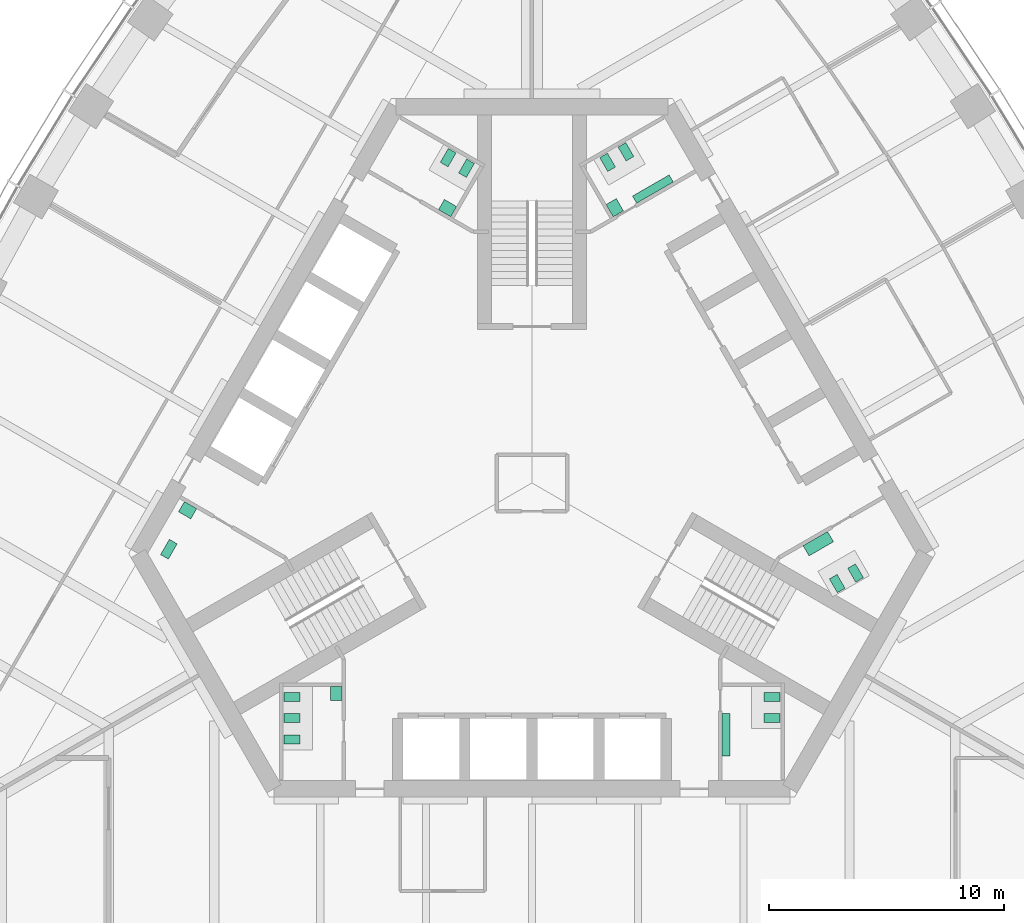
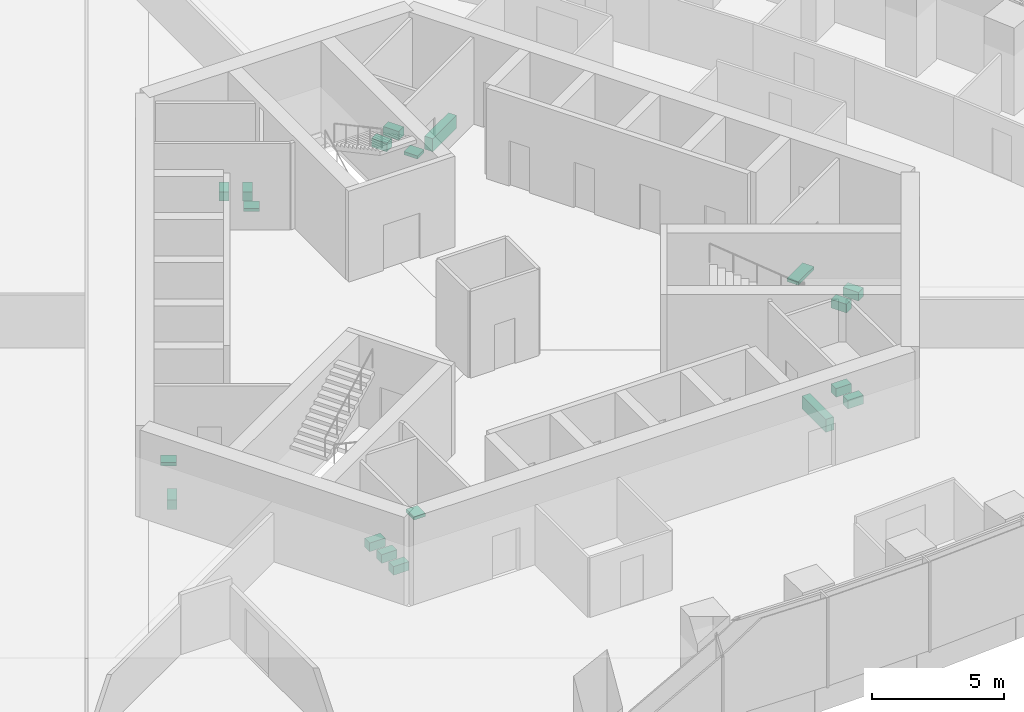
# One storey, part 18 of 19: 19 sanitary terminals.
"""IFC4 building model written with IfcOpenShell, lengths in metres."""

import ifcopenshell
import ifcopenshell.guid

model = None  # the IFC model being written
_history = None  # IfcOwnerHistory: only IFC2X3 demands one
_inside = {}  # id of a spatial element -> (the spatial element, [elements in it])
_under = {}  # id of a project, library or spatial element -> (it, [spatial elements below it])
_declared = {}  # id of a project -> (the project, [libraries it declares])
_typed = {}  # id of a type object -> (the type object, [elements of that type])
_made_of = {}  # id of a material, layer set ... -> (it, [elements and type objects made of it])


def new_model(schema):
    """Start an empty IFC model of exactly this schema.

    Asked for "IFC4X3", IfcOpenShell would pick the latest addendum, in which some entities
    have other attributes; the version numbers below select the first issue.
    IFC2X3 requires an IfcOwnerHistory on every rooted entity: one is made here for all.
    """
    global model, _history
    if schema == "IFC4X3":
        model = ifcopenshell.file(schema_version=(4, 3, 0, 0))
    else:
        model = ifcopenshell.file(schema=schema)
    _inside.clear()
    _under.clear()
    _declared.clear()
    _typed.clear()
    _made_of.clear()
    _history = None
    if model.schema == "IFC2X3":
        org = make("IfcOrganization", Name="unknown")
        user = make(
            "IfcPersonAndOrganization",
            ThePerson=make("IfcPerson", FamilyName="unknown"),
            TheOrganization=org,
        )
        app = make(
            "IfcApplication",
            ApplicationDeveloper=org,
            Version="unknown",
            ApplicationFullName="unknown",
            ApplicationIdentifier="unknown",
        )
        _history = make(
            "IfcOwnerHistory",
            OwningUser=user,
            OwningApplication=app,
            ChangeAction="ADDED",
            CreationDate=0,
        )
    return model


def make(cls, **values):
    """One entity of the class cls with the attributes given. An attribute that is None is left unset."""
    return model.create_entity(
        cls, **{name: value for name, value in values.items() if value is not None}
    )


def rooted(cls, **values):
    """An entity with a GlobalId (a new one), such as an element, a storey or a relation."""
    return make(cls, GlobalId=ifcopenshell.guid.new(), OwnerHistory=_history, **values)


def si_unit(unit_type, name, prefix=None):
    """IfcSIUnit, for example si_unit("LENGTHUNIT", "METRE", prefix="MILLI")."""
    return make("IfcSIUnit", UnitType=unit_type, Prefix=prefix, Name=name)


def assignment(units):
    """IfcUnitAssignment: the units of a project."""
    return None if units is None else make("IfcUnitAssignment", Units=units)


def point(xyz):
    """IfcCartesianPoint."""
    return None if xyz is None else make("IfcCartesianPoint", Coordinates=xyz)


def direction(xyz):
    """IfcDirection."""
    return None if xyz is None else make("IfcDirection", DirectionRatios=xyz)


def frame(location, z_axis=None, x_axis=None):
    """IfcAxis2Placement3D, a coordinate frame: its origin and axes. An axis left out is left unset."""
    return make(
        "IfcAxis2Placement3D",
        Location=point(location),
        Axis=direction(z_axis),
        RefDirection=direction(x_axis),
    )


def origin():
    """The frame at (0, 0, 0) with its axes left unset."""
    return frame((0.0, 0.0, 0.0))


def place(relative_to, where):
    """IfcLocalPlacement: puts the frame where relative to a parent placement (None: the world)."""
    return make(
        "IfcLocalPlacement", PlacementRelTo=relative_to, RelativePlacement=where
    )


def context(
    kind, dimensions, precision=None, world=None, true_north=None, identifier=None
):
    """IfcGeometricRepresentationContext, for example the 3D "Model" context."""
    return make(
        "IfcGeometricRepresentationContext",
        ContextIdentifier=identifier,
        ContextType=kind,
        CoordinateSpaceDimension=dimensions,
        Precision=precision,
        WorldCoordinateSystem=world,
        TrueNorth=true_north,
    )


def subcontext(parent, identifier, kind, view, scale=None):
    """IfcGeometricRepresentationSubContext, for example "Body" below "Model"."""
    return make(
        "IfcGeometricRepresentationSubContext",
        ContextIdentifier=identifier,
        ContextType=kind,
        ParentContext=parent,
        TargetScale=scale,
        TargetView=view,
    )


def project(units=None, contexts=None):
    """IfcProject with its units and contexts."""
    return rooted(
        "IfcProject",
        Name="project",
        RepresentationContexts=contexts,
        UnitsInContext=assignment(units),
    )


def spatial(cls, under=None, at=None, **own):
    """A site, building, storey or space (cls), placed at a placement, below another one or the project."""
    s = rooted(cls, ObjectPlacement=at, **own)
    if under is not None:
        _under.setdefault(under.id(), (under, []))[1].append(s)
    return s


def polyline(points):
    """IfcPolyline through the points."""
    return make("IfcPolyline", Points=[point(p) for p in points])


def outline(outer, holes=None, kind="AREA"):
    """IfcArbitraryClosedProfileDef: a profile drawn as a closed curve; with holes, ...WithVoids."""
    if holes is None:
        return make("IfcArbitraryClosedProfileDef", ProfileType=kind, OuterCurve=outer)
    return make(
        "IfcArbitraryProfileDefWithVoids",
        ProfileType=kind,
        OuterCurve=outer,
        InnerCurves=holes,
    )


def extrude(swept, where, along, depth):
    """IfcExtrudedAreaSolid: the profile swept, set in the frame where, extruded along a direction by depth."""
    return make(
        "IfcExtrudedAreaSolid",
        SweptArea=swept,
        Position=where,
        ExtrudedDirection=direction(along),
        Depth=depth,
    )


def shape(context_of_items, identifier, shape_type, items):
    """IfcShapeRepresentation: the items that make up one representation, for example the "Body"."""
    return make(
        "IfcShapeRepresentation",
        ContextOfItems=context_of_items,
        RepresentationIdentifier=identifier,
        RepresentationType=shape_type,
        Items=items,
    )


def material(Name=None, Category=None):
    """IfcMaterial."""
    return make("IfcMaterial", Name=Name, Category=Category)


def made_of(thing, what):
    """Note that an element or type object is made of a material, layer set ...; save() writes the relation."""
    if what is not None:
        _made_of.setdefault(what.id(), (what, []))[1].append(thing)
    return thing


def type_object(cls, material=None, **own):
    """A type object (cls), such as IfcWallType, which elements share."""
    return made_of(rooted(cls, **own), material)


def element(
    cls,
    number,
    at=None,
    inside=None,
    cuts=None,
    type_object=None,
    material=None,
    context=None,
    identifier="Body",
    shape_type=None,
    held_by="IfcProductDefinitionShape",
    body=None,
    shapes=None,
    **own,
):
    """One element of the class cls, such as IfcWall. Its Tag is "e" and its number.

    at: its placement. inside: the storey or other place that contains it. cuts: it is an
    opening in that element (IfcRelVoidsElement). A single representation is given by context,
    identifier, shape_type and body (its items); several are given by shapes. held_by: the class
    of the entity that holds the representations. save() writes the other relations.
    """
    e = rooted(cls, Tag="e%d" % number, ObjectPlacement=at, **own)
    if body is not None:
        shapes = [shape(context, identifier, shape_type, body)]
    if shapes is not None:
        e.Representation = make(held_by, Representations=shapes)
    if inside is not None:
        _inside.setdefault(inside.id(), (inside, []))[1].append(e)
    if cuts is not None:
        rooted(
            "IfcRelVoidsElement", RelatingBuildingElement=cuts, RelatedOpeningElement=e
        )
    if type_object is not None:
        _typed.setdefault(type_object.id(), (type_object, []))[1].append(e)
    return made_of(e, material)


def aggregate(whole, parts):
    """IfcRelAggregates: a whole, such as a stair, and the parts it consists of."""
    return rooted("IfcRelAggregates", RelatingObject=whole, RelatedObjects=parts)


def save(model, path):
    """Write the relations noted so far, then the file.

    IfcRelAggregates (storeys below a building ...), IfcRelContainedInSpatialStructure (elements
    in a storey), IfcRelDefinesByType, IfcRelAssociatesMaterial and IfcRelDeclares: one each for
    every whole, place, type object, material and project.
    """
    for whole, parts in _under.values():
        aggregate(whole, parts)
    for where, things in _inside.values():
        rooted(
            "IfcRelContainedInSpatialStructure",
            RelatedElements=things,
            RelatingStructure=where,
        )
    for kind, things in _typed.values():
        rooted("IfcRelDefinesByType", RelatedObjects=things, RelatingType=kind)
    for what, things in _made_of.values():
        rooted("IfcRelAssociatesMaterial", RelatedObjects=things, RelatingMaterial=what)
    for by, libraries in _declared.values():
        rooted("IfcRelDeclares", RelatingContext=by, RelatedDefinitions=libraries)
    model.write(path)


model = new_model("IFC4")

# Units and contexts
model_context = context("Model", 3, precision=1e-05, world=origin(), true_north=direction((0.0, 1.0)))
body_context = subcontext(model_context, "Body", "Model", "MODEL_VIEW")
ifc_project = project(units=[si_unit("LENGTHUNIT", "METRE"), si_unit("AREAUNIT", "SQUARE_METRE"), si_unit("VOLUMEUNIT", "CUBIC_METRE"), si_unit("PLANEANGLEUNIT", "RADIAN"), si_unit("MASSUNIT", "GRAM", prefix="KILO")], contexts=[model_context])

# Site, building, storey
site_placement = place(None, origin())
site = spatial("IfcSite", under=ifc_project, at=site_placement, CompositionType="ELEMENT")
building_placement = place(site_placement, origin())
building = spatial("IfcBuilding", under=site, at=building_placement, Name="Trefoil Bronze Tower", CompositionType="ELEMENT")
storey_placement = place(building_placement, frame((0.0, 0.0, 256.89990234375)))
storey = spatial("IfcBuildingStorey", under=building, at=storey_placement, Name="L59", CompositionType="ELEMENT", Elevation=256.89990234375)

# Sanitary terminals
ifc_material_1 = material(Name="Vitreous china", Category="ceramic")
sanitary_terminal_type_1 = type_object("IfcSanitaryTerminalType", Name="Accessible WC pan", PredefinedType="TOILETPAN", material=ifc_material_1)
sanitary_terminal_1_placement = place(storey_placement, origin())
element("IfcSanitaryTerminal", 1, at=sanitary_terminal_1_placement, inside=storey, type_object=sanitary_terminal_type_1, Name="WC pan 1 Accessible WC L59", PredefinedType="TOILETPAN", context=body_context, shape_type="SweptSolid", body=[
    extrude(outline(polyline([(-15.085693359375, -2.589111328125), (-15.460693359375, -3.238525390625), (-15.789794921875, -3.048583984375), (-15.414794921875, -2.399169921875), (-15.085693359375, -2.589111328125)])), origin(), (0.0, 0.0, 1.0), 0.4501953125),
])
ifc_material_2 = material(Name="Vitreous china", Category="ceramic")
sanitary_terminal_type_2 = type_object("IfcSanitaryTerminalType", Name="Accessible basin", PredefinedType="WASHHANDBASIN", material=ifc_material_2)
sanitary_terminal_2_placement = place(storey_placement, frame((0.0, 0.0, 0.650146484375)))
element("IfcSanitaryTerminal", 2, at=sanitary_terminal_2_placement, inside=storey, type_object=sanitary_terminal_type_2, Name="Wash basin Accessible WC L59", PredefinedType="WASHHANDBASIN", context=body_context, shape_type="SweptSolid", body=[
    extrude(outline(polyline([(-14.256591796875, -1.09326171875), (-14.506591796875, -1.526123046875), (-15.026123046875, -1.22607421875), (-14.776123046875, -0.793212890625), (-14.256591796875, -1.09326171875)])), origin(), (0.0, 0.0, 1.0), 0.14990234375),
])
ifc_material_3 = material(Name="Vitreous china", Category="ceramic")
sanitary_terminal_type_3 = type_object("IfcSanitaryTerminalType", Name="Urinal range 3 urinals", PredefinedType="URINAL", material=ifc_material_3)
sanitary_terminal_3_placement = place(storey_placement, frame((0.0, 0.0, 0.400146484375)))
element("IfcSanitaryTerminal", 3, at=sanitary_terminal_3_placement, inside=storey, type_object=sanitary_terminal_type_3, Name="Urinal range WC (men) L59", PredefinedType="URINAL", context=body_context, shape_type="SweptSolid", body=[
    extrude(outline(polyline([(8.074951171875, -9.800048828125), (8.425048828125, -9.800048828125), (8.425048828125, -11.60009765625), (8.074951171875, -11.60009765625), (8.074951171875, -9.800048828125)])), origin(), (0.0, 0.0, 1.0), 0.599853515625),
])
sanitary_terminal_4_placement = place(storey_placement, frame((0.0, 0.0, 0.400146484375)))
element("IfcSanitaryTerminal", 4, at=sanitary_terminal_4_placement, inside=storey, type_object=sanitary_terminal_type_3, Name="Urinal range WC (men) L59", PredefinedType="URINAL", context=body_context, shape_type="SweptSolid", body=[
    extrude(outline(polyline([(4.449462890625, 11.89306640625), (4.274658203125, 12.1962890625), (5.83349609375, 13.09619140625), (6.00830078125, 12.793212890625), (4.449462890625, 11.89306640625)])), origin(), (0.0, 0.0, 1.0), 0.599853515625),
])
ifc_material_4 = material(Name="Solid surface vanity", Category="plastic")
sanitary_terminal_type_4 = type_object("IfcSanitaryTerminalType", Name="Vanity unit 1 basins", PredefinedType="WASHHANDBASIN", material=ifc_material_4)
sanitary_terminal_5_placement = place(storey_placement, frame((0.0, 0.0, 0.75)))
element("IfcSanitaryTerminal", 5, at=sanitary_terminal_5_placement, inside=storey, type_object=sanitary_terminal_type_4, Name="Vanity unit WC (men) L59", PredefinedType="WASHHANDBASIN", context=body_context, shape_type="SweptSolid", body=[
    extrude(outline(polyline([(3.45361328125, 11.318115234375), (3.153564453125, 11.837890625), (3.586669921875, 12.087890625), (3.88671875, 11.568115234375), (3.45361328125, 11.318115234375)])), origin(), (0.0, 0.0, 1.0), 0.150146484375),
])
sanitary_terminal_6_placement = place(storey_placement, frame((0.0, 0.0, 0.75)))
element("IfcSanitaryTerminal", 6, at=sanitary_terminal_6_placement, inside=storey, type_object=sanitary_terminal_type_4, Name="Vanity unit WC (women) L59", PredefinedType="WASHHANDBASIN", context=body_context, shape_type="SweptSolid", body=[
    extrude(outline(polyline([(-3.45361328125, 11.318115234375), (-3.20361328125, 11.751220703125), (-3.72314453125, 12.05126953125), (-3.97314453125, 11.6181640625), (-3.45361328125, 11.318115234375)])), origin(), (0.0, 0.0, 1.0), 0.150146484375),
])
sanitary_terminal_7_placement = place(storey_placement, frame((0.0, 0.0, 0.75)))
element("IfcSanitaryTerminal", 7, at=sanitary_terminal_7_placement, inside=storey, type_object=sanitary_terminal_type_4, Name="Vanity unit WC (women) L59", PredefinedType="WASHHANDBASIN", context=body_context, shape_type="SweptSolid", body=[
    extrude(outline(polyline([(-8.074951171875, -8.64990234375), (-8.574951171875, -8.64990234375), (-8.574951171875, -9.25), (-8.074951171875, -9.25), (-8.074951171875, -8.64990234375)])), origin(), (0.0, 0.0, 1.0), 0.150146484375),
])
ifc_material_5 = material(Name="Solid surface vanity", Category="plastic")
sanitary_terminal_type_5 = type_object("IfcSanitaryTerminalType", Name="Vanity unit 2 basins", PredefinedType="WASHHANDBASIN", material=ifc_material_5)
sanitary_terminal_8_placement = place(storey_placement, frame((0.0, 0.0, 0.75)))
element("IfcSanitaryTerminal", 8, at=sanitary_terminal_8_placement, inside=storey, type_object=sanitary_terminal_type_5, Name="Vanity unit WC (women) L59", PredefinedType="WASHHANDBASIN", context=body_context, shape_type="SweptSolid", body=[
    extrude(outline(polyline([(11.528564453125, -2.668212890625), (11.778564453125, -3.10107421875), (12.81787109375, -2.501220703125), (12.56787109375, -2.068115234375), (11.528564453125, -2.668212890625)])), origin(), (0.0, 0.0, 1.0), 0.150146484375),
])
ifc_material_6 = material(Name="Vitreous china", Category="ceramic")
sanitary_terminal_type_6 = type_object("IfcSanitaryTerminalType", Name="WC pan", PredefinedType="TOILETPAN", material=ifc_material_6)
sanitary_terminal_9_placement = place(storey_placement, origin())
element("IfcSanitaryTerminal", 9, at=sanitary_terminal_9_placement, inside=storey, type_object=sanitary_terminal_type_6, Name="WC pan 1 WC (men) L59", PredefinedType="TOILETPAN", context=body_context, shape_type="SweptSolid", body=[
    extrude(outline(polyline([(9.85498046875, -8.909912109375), (10.534912109375, -8.909912109375), (10.534912109375, -9.2900390625), (9.85498046875, -9.2900390625), (9.85498046875, -8.909912109375)])), origin(), (0.0, 0.0, 1.0), 0.400146484375),
])
sanitary_terminal_10_placement = place(storey_placement, origin())
element("IfcSanitaryTerminal", 10, at=sanitary_terminal_10_placement, inside=storey, type_object=sanitary_terminal_type_6, Name="WC pan 2 WC (men) L59", PredefinedType="TOILETPAN", context=body_context, shape_type="SweptSolid", body=[
    extrude(outline(polyline([(9.85498046875, -9.81005859375), (10.534912109375, -9.81005859375), (10.534912109375, -10.18994140625), (9.85498046875, -10.18994140625), (9.85498046875, -9.81005859375)])), origin(), (0.0, 0.0, 1.0), 0.400146484375),
])
sanitary_terminal_11_placement = place(storey_placement, origin())
element("IfcSanitaryTerminal", 11, at=sanitary_terminal_11_placement, inside=storey, type_object=sanitary_terminal_type_6, Name="WC pan 1 WC (women) L59", PredefinedType="TOILETPAN", context=body_context, shape_type="SweptSolid", body=[
    extrude(outline(polyline([(12.643798828125, -4.07958984375), (12.98388671875, -4.66845703125), (13.31298828125, -4.478515625), (12.972900390625, -3.8896484375), (12.643798828125, -4.07958984375)])), origin(), (0.0, 0.0, 1.0), 0.400146484375),
])
sanitary_terminal_12_placement = place(storey_placement, origin())
element("IfcSanitaryTerminal", 12, at=sanitary_terminal_12_placement, inside=storey, type_object=sanitary_terminal_type_6, Name="WC pan 2 WC (women) L59", PredefinedType="TOILETPAN", context=body_context, shape_type="SweptSolid", body=[
    extrude(outline(polyline([(13.423095703125, -3.629638671875), (13.76318359375, -4.218505859375), (14.09228515625, -4.028564453125), (13.752197265625, -3.439697265625), (13.423095703125, -3.629638671875)])), origin(), (0.0, 0.0, 1.0), 0.400146484375),
])
sanitary_terminal_13_placement = place(storey_placement, origin())
element("IfcSanitaryTerminal", 13, at=sanitary_terminal_13_placement, inside=storey, type_object=sanitary_terminal_type_6, Name="WC pan 1 WC (men) L59", PredefinedType="TOILETPAN", context=body_context, shape_type="SweptSolid", body=[
    extrude(outline(polyline([(3.2216796875, 13.23974609375), (2.8818359375, 13.82861328125), (3.2109375, 14.0185546875), (3.55078125, 13.4296875), (3.2216796875, 13.23974609375)])), origin(), (0.0, 0.0, 1.0), 0.400146484375),
])
sanitary_terminal_14_placement = place(storey_placement, origin())
element("IfcSanitaryTerminal", 14, at=sanitary_terminal_14_placement, inside=storey, type_object=sanitary_terminal_type_6, Name="WC pan 2 WC (men) L59", PredefinedType="TOILETPAN", context=body_context, shape_type="SweptSolid", body=[
    extrude(outline(polyline([(4.001220703125, 13.689697265625), (3.6611328125, 14.278564453125), (3.990234375, 14.468505859375), (4.330322265625, 13.879638671875), (4.001220703125, 13.689697265625)])), origin(), (0.0, 0.0, 1.0), 0.400146484375),
])
sanitary_terminal_15_placement = place(storey_placement, origin())
element("IfcSanitaryTerminal", 15, at=sanitary_terminal_15_placement, inside=storey, type_object=sanitary_terminal_type_6, Name="WC pan 1 WC (women) L59", PredefinedType="TOILETPAN", context=body_context, shape_type="SweptSolid", body=[
    extrude(outline(polyline([(-2.788818359375, 12.98974609375), (-2.44873046875, 13.57861328125), (-2.77783203125, 13.7685546875), (-3.117919921875, 13.1796875), (-2.788818359375, 12.98974609375)])), origin(), (0.0, 0.0, 1.0), 0.400146484375),
])
sanitary_terminal_16_placement = place(storey_placement, origin())
element("IfcSanitaryTerminal", 16, at=sanitary_terminal_16_placement, inside=storey, type_object=sanitary_terminal_type_6, Name="WC pan 2 WC (women) L59", PredefinedType="TOILETPAN", context=body_context, shape_type="SweptSolid", body=[
    extrude(outline(polyline([(-3.568115234375, 13.439697265625), (-3.228271484375, 14.028564453125), (-3.557373046875, 14.218505859375), (-3.897216796875, 13.629638671875), (-3.568115234375, 13.439697265625)])), origin(), (0.0, 0.0, 1.0), 0.400146484375),
])
sanitary_terminal_17_placement = place(storey_placement, origin())
element("IfcSanitaryTerminal", 17, at=sanitary_terminal_17_placement, inside=storey, type_object=sanitary_terminal_type_6, Name="WC pan 1 WC (women) L59", PredefinedType="TOILETPAN", context=body_context, shape_type="SweptSolid", body=[
    extrude(outline(polyline([(-9.85498046875, -8.909912109375), (-10.534912109375, -8.909912109375), (-10.534912109375, -9.2900390625), (-9.85498046875, -9.2900390625), (-9.85498046875, -8.909912109375)])), origin(), (0.0, 0.0, 1.0), 0.400146484375),
])
sanitary_terminal_18_placement = place(storey_placement, origin())
element("IfcSanitaryTerminal", 18, at=sanitary_terminal_18_placement, inside=storey, type_object=sanitary_terminal_type_6, Name="WC pan 2 WC (women) L59", PredefinedType="TOILETPAN", context=body_context, shape_type="SweptSolid", body=[
    extrude(outline(polyline([(-9.85498046875, -9.81005859375), (-10.534912109375, -9.81005859375), (-10.534912109375, -10.18994140625), (-9.85498046875, -10.18994140625), (-9.85498046875, -9.81005859375)])), origin(), (0.0, 0.0, 1.0), 0.400146484375),
])
sanitary_terminal_19_placement = place(storey_placement, origin())
element("IfcSanitaryTerminal", 19, at=sanitary_terminal_19_placement, inside=storey, type_object=sanitary_terminal_type_6, Name="WC pan 3 WC (women) L59", PredefinedType="TOILETPAN", context=body_context, shape_type="SweptSolid", body=[
    extrude(outline(polyline([(-9.85498046875, -10.7099609375), (-10.534912109375, -10.7099609375), (-10.534912109375, -11.090087890625), (-9.85498046875, -11.090087890625), (-9.85498046875, -10.7099609375)])), origin(), (0.0, 0.0, 1.0), 0.400146484375),
])

save(model, "model.ifc")
